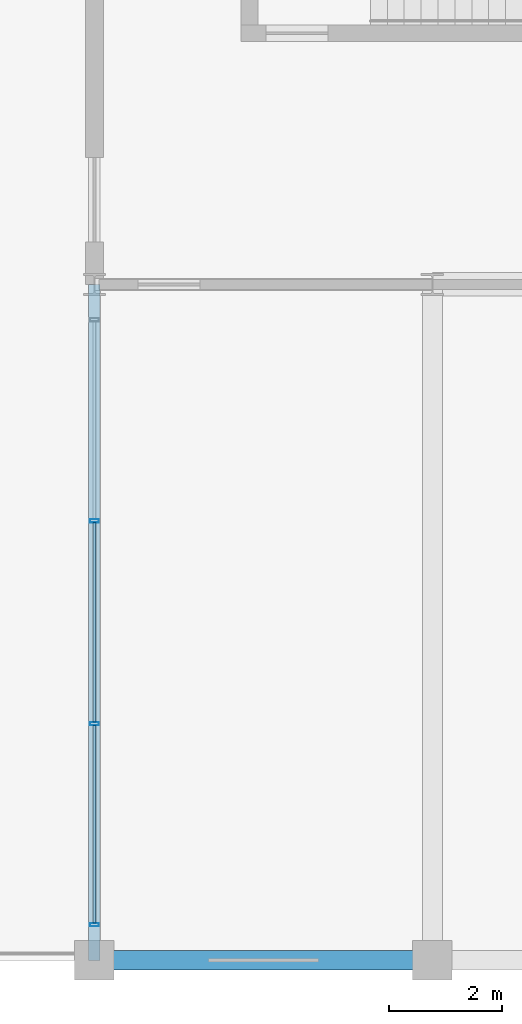
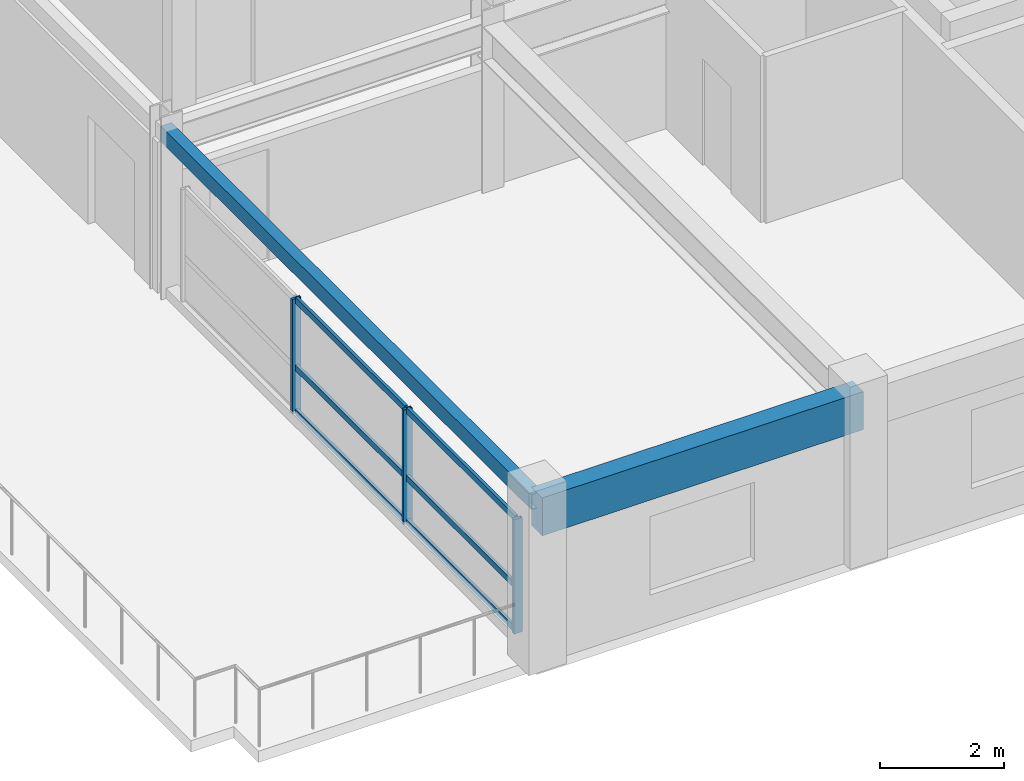
# One storey, part 2 of 24: 9 members, 2 beams, 1 element without a shape of its own.
"""IFC4 building model written with IfcOpenShell, lengths in metres."""

from ifc_helpers import new_model, si_unit, direction, frame, origin, origin_2d, place, context, subcontext, project, spatial, rectangle, hollow_rectangle, extrude, material, material_profile, profile_set, type_object, element, aggregate, save


model = new_model("IFC4")

# Units and contexts
model_context = context("Model", 3, precision=1e-05, world=origin(), true_north=direction((0.0, 1.0)))
body_context = subcontext(model_context, "Body", "Model", "MODEL_VIEW")
ifc_project = project(units=[si_unit("LENGTHUNIT", "METRE"), si_unit("AREAUNIT", "SQUARE_METRE"), si_unit("VOLUMEUNIT", "CUBIC_METRE"), si_unit("PLANEANGLEUNIT", "RADIAN"), si_unit("MASSUNIT", "GRAM", prefix="KILO")], contexts=[model_context])

# Site, building, storey
site_placement = place(None, origin())
site = spatial("IfcSite", under=ifc_project, at=site_placement, CompositionType="ELEMENT")
building_placement = place(site_placement, origin())
building = spatial("IfcBuilding", under=site, at=building_placement, Name="Kaldorvane Square Convention Centre", CompositionType="ELEMENT")
storey_placement = place(building_placement, frame((0.0, 0.0, 60.0)))
storey = spatial("IfcBuildingStorey", under=building, at=storey_placement, Name="L14", CompositionType="ELEMENT", Elevation=60.0)

# Beams
ifc_material_1 = material(Name="Steel ASTM A500 Gr. C", Category="steel")
ifc_material_profile_1 = material_profile(ifc_material_1, hollow_rectangle(XDim=0.2032012939453125, YDim=0.3047943115234375, WallThickness=0.0088958740234375, at=origin_2d()), Name="HSS12X8X3/8")
ifc_profile_set_1 = profile_set([ifc_material_profile_1], Name="Steel ASTM A500 Gr. C")
beam_type_1 = type_object("IfcBeamType", Name="BM-SP-HSS12", PredefinedType="SPANDREL", material=ifc_profile_set_1)
beam_1_placement = place(storey_placement, frame((36.0, 84.0, 3.13360595703125), z_axis=(0.0, 1.0, 0.0), x_axis=(-1.0, 0.0, 0.0)))
element("IfcBeam", 1, at=beam_1_placement, inside=storey, type_object=beam_type_1, Name="End Spandrel (L14)", PredefinedType="SPANDREL", context=body_context, shape_type="SweptSolid", body=[
    extrude(hollow_rectangle(XDim=0.2032012939453125, YDim=0.3047943115234375, WallThickness=0.0088958740234375, at=origin_2d()), origin(), (0.0, 0.0, 1.0), 12.0),
])
ifc_material_2 = material(Name="Concrete f'c = 42 MPa (Normalweight)", Category="concrete")
ifc_material_profile_2 = material_profile(ifc_material_2, rectangle(XDim=0.350006103515625, YDim=0.75, at=origin_2d()), Name="RCSP750X350")
ifc_profile_set_2 = profile_set([ifc_material_profile_2], Name="Concrete f'c = 42 MPa (Normalweight)")
beam_type_2 = type_object("IfcBeamType", Name="BM-SP-RC750", PredefinedType="SPANDREL", material=ifc_profile_set_2)
beam_2_placement = place(storey_placement, frame((36.0, 84.0, 2.9109954833984375), z_axis=(1.0, 0.0, 0.0), x_axis=(0.0, 1.0, 0.0)))
element("IfcBeam", 2, at=beam_2_placement, inside=storey, type_object=beam_type_2, Name="Perimeter Spandrel (L14)", PredefinedType="SPANDREL", context=body_context, shape_type="SweptSolid", body=[
    extrude(rectangle(XDim=0.350006103515625, YDim=0.75, at=origin_2d()), origin(), (0.0, 0.0, 1.0), 6.0),
])

# Curtain wall, members
ifc_material_3 = material(Name="Anodized Aluminum and Low-E Insulated Glazing", Category="aluminium")
curtain_wall_type = type_object("IfcCurtainWallType", Name="CW-UNI-HTL-B", PredefinedType="USERDEFINED", material=ifc_material_3)
curtain_wall_placement = place(storey_placement, origin())
curtain_wall = element("IfcCurtainWall", 3, at=curtain_wall_placement, inside=storey, type_object=curtain_wall_type, Name="Curtain Wall CW-11 (L14)", ObjectType="UNITISED GLAZING", PredefinedType="USERDEFINED")
ifc_material_profile_3 = material_profile(ifc_material_3, hollow_rectangle(XDim=0.05999755859375, YDim=0.160003662109375, WallThickness=0.003204345703125, at=origin_2d()), Name="CWM-160X60")
ifc_profile_set_3 = profile_set([ifc_material_profile_3], Name="Anodized Aluminum and Low-E Insulated Glazing")
member_type_1 = type_object("IfcMemberType", Name="CW-MUL-160", PredefinedType="MULLION", material=ifc_profile_set_3)
member_1_placement = place(storey_placement, frame((36.0, 91.80000305175781, 0.149993896484375), z_axis=(0.0, 0.0, 1.0), x_axis=(0.0, -1.0, 0.0)))
member_1 = element("IfcMember", 4, at=member_1_placement, type_object=member_type_1, Name="CW-11 mullion 2", PredefinedType="MULLION", context=body_context, shape_type="SweptSolid", body=[
    extrude(hollow_rectangle(XDim=0.05999755859375, YDim=0.160003662109375, WallThickness=0.003204345703125, at=origin_2d()), origin(), (0.0, 0.0, 1.0), 2.260009765625),
])
member_2_placement = place(storey_placement, frame((36.0, 88.19999694824219, 0.149993896484375), z_axis=(0.0, 0.0, 1.0), x_axis=(0.0, -1.0, 0.0)))
member_2 = element("IfcMember", 5, at=member_2_placement, type_object=member_type_1, Name="CW-11 mullion 3", PredefinedType="MULLION", context=body_context, shape_type="SweptSolid", body=[
    extrude(hollow_rectangle(XDim=0.05999755859375, YDim=0.160003662109375, WallThickness=0.003204345703125, at=origin_2d()), origin(), (0.0, 0.0, 1.0), 2.260009765625),
])
member_3_placement = place(storey_placement, frame((36.0, 84.6300048828125, 0.149993896484375), z_axis=(0.0, 0.0, 1.0), x_axis=(0.0, -1.0, 0.0)))
member_3 = element("IfcMember", 6, at=member_3_placement, type_object=member_type_1, Name="CW-11 mullion 4", PredefinedType="MULLION", context=body_context, shape_type="SweptSolid", body=[
    extrude(hollow_rectangle(XDim=0.05999755859375, YDim=0.160003662109375, WallThickness=0.003204345703125, at=origin_2d()), origin(), (0.0, 0.0, 1.0), 2.260009765625),
])
ifc_material_profile_4 = material_profile(ifc_material_3, hollow_rectangle(XDim=0.05499267578125, YDim=0.1199951171875, WallThickness=0.0030059814453125, at=origin_2d()), Name="CWT-120X55")
ifc_profile_set_4 = profile_set([ifc_material_profile_4], Name="Anodized Aluminum and Low-E Insulated Glazing")
member_type_2 = type_object("IfcMemberType", Name="CW-TRN-120", PredefinedType="USERDEFINED", material=ifc_profile_set_4)
member_4_placement = place(storey_placement, frame((36.0, 91.77000427246094, 0.1775054931640625), z_axis=(0.0, -1.0, 0.0), x_axis=(1.0, 0.0, 0.0)))
member_4 = element("IfcMember", 7, at=member_4_placement, type_object=member_type_2, Name="CW-11 transom 2.1", ObjectType="TRANSOM", PredefinedType="USERDEFINED", context=body_context, shape_type="SweptSolid", body=[
    extrude(hollow_rectangle(XDim=0.05499267578125, YDim=0.1199951171875, WallThickness=0.0030059814453125, at=origin_2d()), origin(), (0.0, 0.0, 1.0), 3.540008544921875),
])
member_5_placement = place(storey_placement, frame((36.0, 91.77000427246094, 1.0500030517578125), z_axis=(0.0, -1.0, 0.0), x_axis=(1.0, 0.0, 0.0)))
member_5 = element("IfcMember", 8, at=member_5_placement, type_object=member_type_2, Name="CW-11 transom 2.2", ObjectType="TRANSOM", PredefinedType="USERDEFINED", context=body_context, shape_type="SweptSolid", body=[
    extrude(hollow_rectangle(XDim=0.05499267578125, YDim=0.1199951171875, WallThickness=0.0030059814453125, at=origin_2d()), origin(), (0.0, 0.0, 1.0), 3.540008544921875),
])
member_6_placement = place(storey_placement, frame((36.0, 91.77000427246094, 2.38250732421875), z_axis=(0.0, -1.0, 0.0), x_axis=(1.0, 0.0, 0.0)))
member_6 = element("IfcMember", 9, at=member_6_placement, type_object=member_type_2, Name="CW-11 transom 2.3", ObjectType="TRANSOM", PredefinedType="USERDEFINED", context=body_context, shape_type="SweptSolid", body=[
    extrude(hollow_rectangle(XDim=0.05499267578125, YDim=0.1199951171875, WallThickness=0.0030059814453125, at=origin_2d()), origin(), (0.0, 0.0, 1.0), 3.540008544921875),
])
member_7_placement = place(storey_placement, frame((36.0, 88.16999816894531, 0.1775054931640625), z_axis=(0.0, -1.0, 0.0), x_axis=(1.0, 0.0, 0.0)))
member_7 = element("IfcMember", 10, at=member_7_placement, type_object=member_type_2, Name="CW-11 transom 3.1", ObjectType="TRANSOM", PredefinedType="USERDEFINED", context=body_context, shape_type="SweptSolid", body=[
    extrude(hollow_rectangle(XDim=0.05499267578125, YDim=0.1199951171875, WallThickness=0.0030059814453125, at=origin_2d()), origin(), (0.0, 0.0, 1.0), 3.5099945068359375),
])
member_8_placement = place(storey_placement, frame((36.0, 88.16999816894531, 1.0500030517578125), z_axis=(0.0, -1.0, 0.0), x_axis=(1.0, 0.0, 0.0)))
member_8 = element("IfcMember", 11, at=member_8_placement, type_object=member_type_2, Name="CW-11 transom 3.2", ObjectType="TRANSOM", PredefinedType="USERDEFINED", context=body_context, shape_type="SweptSolid", body=[
    extrude(hollow_rectangle(XDim=0.05499267578125, YDim=0.1199951171875, WallThickness=0.0030059814453125, at=origin_2d()), origin(), (0.0, 0.0, 1.0), 3.5099945068359375),
])
member_9_placement = place(storey_placement, frame((36.0, 88.16999816894531, 2.38250732421875), z_axis=(0.0, -1.0, 0.0), x_axis=(1.0, 0.0, 0.0)))
member_9 = element("IfcMember", 12, at=member_9_placement, type_object=member_type_2, Name="CW-11 transom 3.3", ObjectType="TRANSOM", PredefinedType="USERDEFINED", context=body_context, shape_type="SweptSolid", body=[
    extrude(hollow_rectangle(XDim=0.05499267578125, YDim=0.1199951171875, WallThickness=0.0030059814453125, at=origin_2d()), origin(), (0.0, 0.0, 1.0), 3.5099945068359375),
])
aggregate(curtain_wall, [member_1, member_2, member_3, member_4, member_5, member_6, member_7, member_8, member_9])

save(model, "model.ifc")
